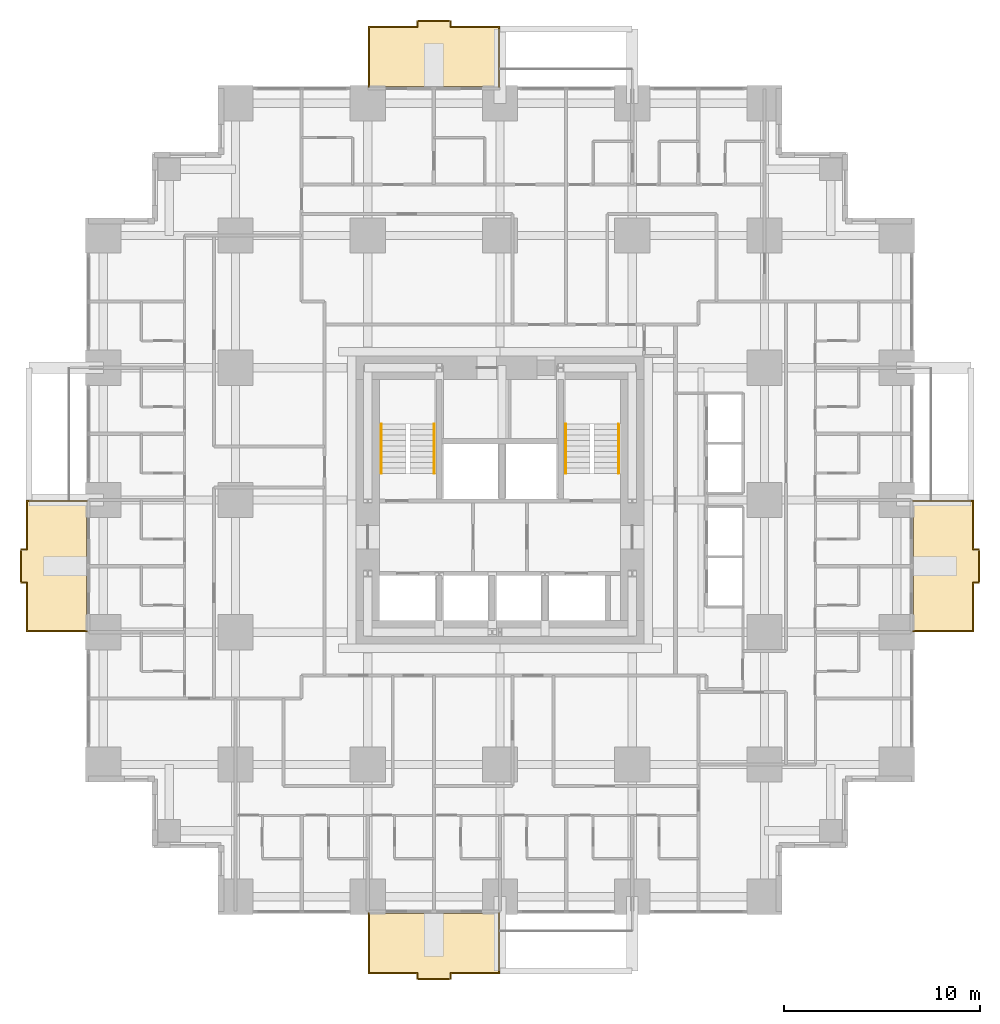
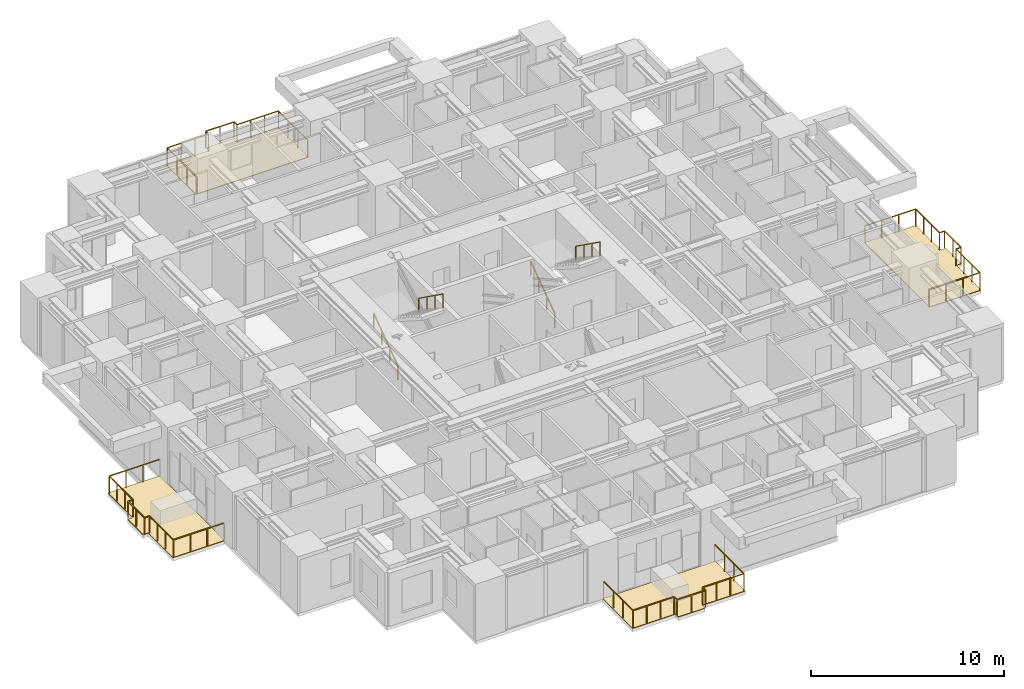
# One storey, part 15 of 15: 8 railings, 4 coverings.
"""IFC4 building model written with IfcOpenShell, lengths in metres."""

from ifc_helpers import new_model, si_unit, direction, frame, origin, origin_2d, place, context, subcontext, project, spatial, polyline, rectangle, outline, extrude, material, layer, layer_set, type_object, element, save


model = new_model("IFC4")

# Units and contexts
model_context = context("Model", 3, precision=1e-05, world=origin(), true_north=direction((0.0, 1.0)))
body_context = subcontext(model_context, "Body", "Model", "MODEL_VIEW")
ifc_project = project(units=[si_unit("LENGTHUNIT", "METRE"), si_unit("AREAUNIT", "SQUARE_METRE"), si_unit("VOLUMEUNIT", "CUBIC_METRE"), si_unit("PLANEANGLEUNIT", "RADIAN"), si_unit("MASSUNIT", "GRAM", prefix="KILO")], contexts=[model_context])

# Site, building, storey
site_placement = place(None, origin())
site = spatial("IfcSite", under=ifc_project, at=site_placement, CompositionType="ELEMENT")
building_placement = place(site_placement, origin())
building = spatial("IfcBuilding", under=site, at=building_placement, Name="Nyansa Garden Tower", CompositionType="ELEMENT")
storey_placement = place(building_placement, frame((0.0, 0.0, 61.199951171875)))
storey = spatial("IfcBuildingStorey", under=building, at=storey_placement, Name="L16", CompositionType="ELEMENT", Elevation=61.199951171875)

# Coverings
ifc_material_1 = material(Name="Hardwood decking on pedestals", Category="wood")
ifc_layer = layer(ifc_material_1, 0.0400390625)
ifc_layer_set = layer_set([ifc_layer], Name="Balcony decking DK40")
covering_type = type_object("IfcCoveringType", Name="Balcony decking DK40", PredefinedType="FLOORING", material=ifc_layer_set)
covering_1_placement = place(storey_placement, frame((0.0, 0.0, -0.0400390625)))
element("IfcCovering", 1, at=covering_1_placement, inside=storey, type_object=covering_type, Name="Balcony decking L16", PredefinedType="FLOORING", context=body_context, shape_type="SweptSolid", body=[
    extrude(outline(polyline([(13.5, -0.85009765625), (20.25, -0.85009765625), (20.25, -3.949951171875), (17.675048828125, -3.949951171875), (17.675048828125, -4.25), (16.074951171875, -4.25), (16.074951171875, -3.949951171875), (13.5, -3.949951171875), (13.5, -0.85009765625)])), origin(), (0.0, 0.0, 1.0), 0.0400390625),
])
covering_2_placement = place(storey_placement, frame((0.0, 0.0, -0.0400390625)))
element("IfcCovering", 2, at=covering_2_placement, inside=storey, type_object=covering_type, Name="Balcony decking L16", PredefinedType="FLOORING", context=body_context, shape_type="SweptSolid", body=[
    extrude(outline(polyline([(41.35009765625, 13.5), (41.35009765625, 20.25), (44.449951171875, 20.25), (44.449951171875, 17.675048828125), (44.75, 17.675048828125), (44.75, 16.074951171875), (44.449951171875, 16.074951171875), (44.449951171875, 13.5), (41.35009765625, 13.5)])), origin(), (0.0, 0.0, 1.0), 0.0400390625),
])
covering_3_placement = place(storey_placement, frame((0.0, 0.0, -0.0400390625)))
element("IfcCovering", 3, at=covering_3_placement, inside=storey, type_object=covering_type, Name="Balcony decking L16", PredefinedType="FLOORING", context=body_context, shape_type="SweptSolid", body=[
    extrude(outline(polyline([(13.5, 41.35009765625), (20.25, 41.35009765625), (20.25, 44.449951171875), (17.675048828125, 44.449951171875), (17.675048828125, 44.75), (16.074951171875, 44.75), (16.074951171875, 44.449951171875), (13.5, 44.449951171875), (13.5, 41.35009765625)])), origin(), (0.0, 0.0, 1.0), 0.0400390625),
])
covering_4_placement = place(storey_placement, frame((0.0, 0.0, -0.0400390625)))
element("IfcCovering", 4, at=covering_4_placement, inside=storey, type_object=covering_type, Name="Balcony decking L16", PredefinedType="FLOORING", context=body_context, shape_type="SweptSolid", body=[
    extrude(outline(polyline([(-0.85009765625, 13.5), (-0.85009765625, 20.25), (-3.949951171875, 20.25), (-3.949951171875, 17.675048828125), (-4.25, 17.675048828125), (-4.25, 16.074951171875), (-3.949951171875, 16.074951171875), (-3.949951171875, 13.5), (-0.85009765625, 13.5)])), origin(), (0.0, 0.0, 1.0), 0.0400390625),
])

# Railings
ifc_material_2 = material(Name="Black powder-coated steel balusters, laminated glass infill", Category="steel")
railing_type_1 = type_object("IfcRailingType", Name="Balcony guard G1", PredefinedType="GUARDRAIL", material=ifc_material_2)
railing_1_placement = place(storey_placement, frame((13.550048828125, -0.85009765625, 0.0)))
element("IfcRailing", 5, at=railing_1_placement, inside=storey, type_object=railing_type_1, Name="Balcony guard L16", PredefinedType="GUARDRAIL", context=body_context, shape_type="SweptSolid", body=[
    extrude(rectangle(XDim=0.048095703125, YDim=0.048095703125, at=origin_2d()), frame((0.0, 0.0, 1.076171875), z_axis=(0.0, -1.0, 0.0), x_axis=(1.0, 0.0, 0.0)), (0.0, 0.0, 1.0), 3.0498046875),
    extrude(rectangle(XDim=0.048095703125, YDim=0.048095703125, at=origin_2d()), frame((0.0, -3.0498046875, 1.076171875), z_axis=(1.0, 0.0, 0.0), x_axis=(0.0, 1.0, 0.0)), (0.0, 0.0, 1.0), 2.474853515625),
    extrude(rectangle(XDim=0.048095703125, YDim=0.048095703125, at=origin_2d()), frame((2.474853515625, -3.0498046875, 1.076171875), z_axis=(0.0, -1.0, 0.0), x_axis=(1.0, 0.0, 0.0)), (0.0, 0.0, 1.0), 0.300048828125),
    extrude(rectangle(XDim=0.048095703125, YDim=0.048095703125, at=origin_2d()), frame((2.474853515625, -3.349853515625, 1.076171875), z_axis=(1.0, 0.0, 0.0), x_axis=(0.0, 1.0, 0.0)), (0.0, 0.0, 1.0), 1.7001953125),
    extrude(rectangle(XDim=0.048095703125, YDim=0.048095703125, at=origin_2d()), frame((4.175048828125, -3.349853515625, 1.076171875), z_axis=(0.0, 1.0, 0.0), x_axis=(-1.0, 0.0, 0.0)), (0.0, 0.0, 1.0), 0.300048828125),
    extrude(rectangle(XDim=0.048095703125, YDim=0.048095703125, at=origin_2d()), frame((4.175048828125, -3.0498046875, 1.076171875), z_axis=(1.0, 0.0, 0.0), x_axis=(0.0, 1.0, 0.0)), (0.0, 0.0, 1.0), 2.474853515625),
    extrude(rectangle(XDim=0.048095703125, YDim=0.048095703125, at=origin_2d()), frame((6.64990234375, -3.0498046875, 1.076171875), z_axis=(0.0, 1.0, 0.0), x_axis=(-1.0, 0.0, 0.0)), (0.0, 0.0, 1.0), 3.0498046875),
    extrude(rectangle(XDim=0.0419921875, YDim=0.0419921875, at=origin_2d()), origin(), (0.0, 0.0, 1.0), 1.052001953125),
    extrude(rectangle(XDim=0.0419921875, YDim=0.0419921875, at=origin_2d()), frame((0.0, -1.0166015625, 0.0)), (0.0, 0.0, 1.0), 1.052001953125),
    extrude(rectangle(XDim=0.0419921875, YDim=0.0419921875, at=origin_2d()), frame((0.0, -2.033203125, 0.0)), (0.0, 0.0, 1.0), 1.052001953125),
    extrude(rectangle(XDim=0.0419921875, YDim=0.0419921875, at=origin_2d()), frame((0.0, -3.0498046875, 0.0)), (0.0, 0.0, 1.0), 1.052001953125),
    extrude(rectangle(XDim=0.0419921875, YDim=0.0419921875, at=origin_2d()), frame((0.824951171875, -3.0498046875, 0.0)), (0.0, 0.0, 1.0), 1.052001953125),
    extrude(rectangle(XDim=0.0419921875, YDim=0.0419921875, at=origin_2d()), frame((1.64990234375, -3.0498046875, 0.0)), (0.0, 0.0, 1.0), 1.052001953125),
    extrude(rectangle(XDim=0.0419921875, YDim=0.0419921875, at=origin_2d()), frame((2.474853515625, -3.0498046875, 0.0)), (0.0, 0.0, 1.0), 1.052001953125),
    extrude(rectangle(XDim=0.0419921875, YDim=0.0419921875, at=origin_2d()), frame((2.474853515625, -3.349853515625, 0.0)), (0.0, 0.0, 1.0), 1.052001953125),
    extrude(rectangle(XDim=0.0419921875, YDim=0.0419921875, at=origin_2d()), frame((3.324951171875, -3.349853515625, 0.0)), (0.0, 0.0, 1.0), 1.052001953125),
    extrude(rectangle(XDim=0.0419921875, YDim=0.0419921875, at=origin_2d()), frame((4.175048828125, -3.349853515625, 0.0)), (0.0, 0.0, 1.0), 1.052001953125),
    extrude(rectangle(XDim=0.0419921875, YDim=0.0419921875, at=origin_2d()), frame((4.175048828125, -3.0498046875, 0.0)), (0.0, 0.0, 1.0), 1.052001953125),
    extrude(rectangle(XDim=0.0419921875, YDim=0.0419921875, at=origin_2d()), frame((5.0, -3.0498046875, 0.0)), (0.0, 0.0, 1.0), 1.052001953125),
    extrude(rectangle(XDim=0.0419921875, YDim=0.0419921875, at=origin_2d()), frame((5.824951171875, -3.0498046875, 0.0)), (0.0, 0.0, 1.0), 1.052001953125),
    extrude(rectangle(XDim=0.0419921875, YDim=0.0419921875, at=origin_2d()), frame((6.64990234375, -3.0498046875, 0.0)), (0.0, 0.0, 1.0), 1.052001953125),
    extrude(rectangle(XDim=0.0419921875, YDim=0.0419921875, at=origin_2d()), frame((6.64990234375, -2.033203125, 0.0)), (0.0, 0.0, 1.0), 1.052001953125),
    extrude(rectangle(XDim=0.0419921875, YDim=0.0419921875, at=origin_2d()), frame((6.64990234375, -1.0166015625, 0.0)), (0.0, 0.0, 1.0), 1.052001953125),
    extrude(rectangle(XDim=0.0419921875, YDim=0.0419921875, at=origin_2d()), frame((6.64990234375, 0.0, 0.0)), (0.0, 0.0, 1.0), 1.052001953125),
])
railing_2_placement = place(storey_placement, frame((41.35009765625, 13.550048828125, 0.0)))
element("IfcRailing", 6, at=railing_2_placement, inside=storey, type_object=railing_type_1, Name="Balcony guard L16", PredefinedType="GUARDRAIL", context=body_context, shape_type="SweptSolid", body=[
    extrude(rectangle(XDim=0.048095703125, YDim=0.048095703125, at=origin_2d()), frame((0.0, 0.0, 1.076171875), z_axis=(1.0, 0.0, 0.0), x_axis=(0.0, 1.0, 0.0)), (0.0, 0.0, 1.0), 3.0498046875),
    extrude(rectangle(XDim=0.048095703125, YDim=0.048095703125, at=origin_2d()), frame((3.0498046875, 0.0, 1.076171875), z_axis=(0.0, 1.0, 0.0), x_axis=(-1.0, 0.0, 0.0)), (0.0, 0.0, 1.0), 2.474853515625),
    extrude(rectangle(XDim=0.048095703125, YDim=0.048095703125, at=origin_2d()), frame((3.0498046875, 2.474853515625, 1.076171875), z_axis=(1.0, 0.0, 0.0), x_axis=(0.0, 1.0, 0.0)), (0.0, 0.0, 1.0), 0.300048828125),
    extrude(rectangle(XDim=0.048095703125, YDim=0.048095703125, at=origin_2d()), frame((3.349853515625, 2.474853515625, 1.076171875), z_axis=(0.0, 1.0, 0.0), x_axis=(-1.0, 0.0, 0.0)), (0.0, 0.0, 1.0), 1.7001953125),
    extrude(rectangle(XDim=0.048095703125, YDim=0.048095703125, at=origin_2d()), frame((3.349853515625, 4.175048828125, 1.076171875), z_axis=(-1.0, 0.0, 0.0), x_axis=(0.0, -1.0, 0.0)), (0.0, 0.0, 1.0), 0.300048828125),
    extrude(rectangle(XDim=0.048095703125, YDim=0.048095703125, at=origin_2d()), frame((3.0498046875, 4.175048828125, 1.076171875), z_axis=(0.0, 1.0, 0.0), x_axis=(-1.0, 0.0, 0.0)), (0.0, 0.0, 1.0), 2.474853515625),
    extrude(rectangle(XDim=0.048095703125, YDim=0.048095703125, at=origin_2d()), frame((3.0498046875, 6.64990234375, 1.076171875), z_axis=(-1.0, 0.0, 0.0), x_axis=(0.0, -1.0, 0.0)), (0.0, 0.0, 1.0), 3.0498046875),
    extrude(rectangle(XDim=0.0419921875, YDim=0.0419921875, at=origin_2d()), origin(), (0.0, 0.0, 1.0), 1.052001953125),
    extrude(rectangle(XDim=0.0419921875, YDim=0.0419921875, at=origin_2d()), frame((1.0166015625, 0.0, 0.0)), (0.0, 0.0, 1.0), 1.052001953125),
    extrude(rectangle(XDim=0.0419921875, YDim=0.0419921875, at=origin_2d()), frame((2.033203125, 0.0, 0.0)), (0.0, 0.0, 1.0), 1.052001953125),
    extrude(rectangle(XDim=0.0419921875, YDim=0.0419921875, at=origin_2d()), frame((3.0498046875, 0.0, 0.0)), (0.0, 0.0, 1.0), 1.052001953125),
    extrude(rectangle(XDim=0.0419921875, YDim=0.0419921875, at=origin_2d()), frame((3.0498046875, 0.824951171875, 0.0)), (0.0, 0.0, 1.0), 1.052001953125),
    extrude(rectangle(XDim=0.0419921875, YDim=0.0419921875, at=origin_2d()), frame((3.0498046875, 1.64990234375, 0.0)), (0.0, 0.0, 1.0), 1.052001953125),
    extrude(rectangle(XDim=0.0419921875, YDim=0.0419921875, at=origin_2d()), frame((3.0498046875, 2.474853515625, 0.0)), (0.0, 0.0, 1.0), 1.052001953125),
    extrude(rectangle(XDim=0.0419921875, YDim=0.0419921875, at=origin_2d()), frame((3.349853515625, 2.474853515625, 0.0)), (0.0, 0.0, 1.0), 1.052001953125),
    extrude(rectangle(XDim=0.0419921875, YDim=0.0419921875, at=origin_2d()), frame((3.349853515625, 3.324951171875, 0.0)), (0.0, 0.0, 1.0), 1.052001953125),
    extrude(rectangle(XDim=0.0419921875, YDim=0.0419921875, at=origin_2d()), frame((3.349853515625, 4.175048828125, 0.0)), (0.0, 0.0, 1.0), 1.052001953125),
    extrude(rectangle(XDim=0.0419921875, YDim=0.0419921875, at=origin_2d()), frame((3.0498046875, 4.175048828125, 0.0)), (0.0, 0.0, 1.0), 1.052001953125),
    extrude(rectangle(XDim=0.0419921875, YDim=0.0419921875, at=origin_2d()), frame((3.0498046875, 5.0, 0.0)), (0.0, 0.0, 1.0), 1.052001953125),
    extrude(rectangle(XDim=0.0419921875, YDim=0.0419921875, at=origin_2d()), frame((3.0498046875, 5.824951171875, 0.0)), (0.0, 0.0, 1.0), 1.052001953125),
    extrude(rectangle(XDim=0.0419921875, YDim=0.0419921875, at=origin_2d()), frame((3.0498046875, 6.64990234375, 0.0)), (0.0, 0.0, 1.0), 1.052001953125),
    extrude(rectangle(XDim=0.0419921875, YDim=0.0419921875, at=origin_2d()), frame((2.033203125, 6.64990234375, 0.0)), (0.0, 0.0, 1.0), 1.052001953125),
    extrude(rectangle(XDim=0.0419921875, YDim=0.0419921875, at=origin_2d()), frame((1.0166015625, 6.64990234375, 0.0)), (0.0, 0.0, 1.0), 1.052001953125),
    extrude(rectangle(XDim=0.0419921875, YDim=0.0419921875, at=origin_2d()), frame((0.0, 6.64990234375, 0.0)), (0.0, 0.0, 1.0), 1.052001953125),
])
railing_3_placement = place(storey_placement, frame((13.550048828125, 41.35009765625, 0.0)))
element("IfcRailing", 7, at=railing_3_placement, inside=storey, type_object=railing_type_1, Name="Balcony guard L16", PredefinedType="GUARDRAIL", context=body_context, shape_type="SweptSolid", body=[
    extrude(rectangle(XDim=0.048095703125, YDim=0.048095703125, at=origin_2d()), frame((0.0, 0.0, 1.076171875), z_axis=(0.0, 1.0, 0.0), x_axis=(-1.0, 0.0, 0.0)), (0.0, 0.0, 1.0), 3.0498046875),
    extrude(rectangle(XDim=0.048095703125, YDim=0.048095703125, at=origin_2d()), frame((0.0, 3.0498046875, 1.076171875), z_axis=(1.0, 0.0, 0.0), x_axis=(0.0, 1.0, 0.0)), (0.0, 0.0, 1.0), 2.474853515625),
    extrude(rectangle(XDim=0.048095703125, YDim=0.048095703125, at=origin_2d()), frame((2.474853515625, 3.0498046875, 1.076171875), z_axis=(0.0, 1.0, 0.0), x_axis=(-1.0, 0.0, 0.0)), (0.0, 0.0, 1.0), 0.300048828125),
    extrude(rectangle(XDim=0.048095703125, YDim=0.048095703125, at=origin_2d()), frame((2.474853515625, 3.349853515625, 1.076171875), z_axis=(1.0, 0.0, 0.0), x_axis=(0.0, 1.0, 0.0)), (0.0, 0.0, 1.0), 1.7001953125),
    extrude(rectangle(XDim=0.048095703125, YDim=0.048095703125, at=origin_2d()), frame((4.175048828125, 3.349853515625, 1.076171875), z_axis=(0.0, -1.0, 0.0), x_axis=(1.0, 0.0, 0.0)), (0.0, 0.0, 1.0), 0.300048828125),
    extrude(rectangle(XDim=0.048095703125, YDim=0.048095703125, at=origin_2d()), frame((4.175048828125, 3.0498046875, 1.076171875), z_axis=(1.0, 0.0, 0.0), x_axis=(0.0, 1.0, 0.0)), (0.0, 0.0, 1.0), 2.474853515625),
    extrude(rectangle(XDim=0.048095703125, YDim=0.048095703125, at=origin_2d()), frame((6.64990234375, 3.0498046875, 1.076171875), z_axis=(0.0, -1.0, 0.0), x_axis=(1.0, 0.0, 0.0)), (0.0, 0.0, 1.0), 3.0498046875),
    extrude(rectangle(XDim=0.0419921875, YDim=0.0419921875, at=origin_2d()), origin(), (0.0, 0.0, 1.0), 1.052001953125),
    extrude(rectangle(XDim=0.0419921875, YDim=0.0419921875, at=origin_2d()), frame((0.0, 1.0166015625, 0.0)), (0.0, 0.0, 1.0), 1.052001953125),
    extrude(rectangle(XDim=0.0419921875, YDim=0.0419921875, at=origin_2d()), frame((0.0, 2.033203125, 0.0)), (0.0, 0.0, 1.0), 1.052001953125),
    extrude(rectangle(XDim=0.0419921875, YDim=0.0419921875, at=origin_2d()), frame((0.0, 3.0498046875, 0.0)), (0.0, 0.0, 1.0), 1.052001953125),
    extrude(rectangle(XDim=0.0419921875, YDim=0.0419921875, at=origin_2d()), frame((0.824951171875, 3.0498046875, 0.0)), (0.0, 0.0, 1.0), 1.052001953125),
    extrude(rectangle(XDim=0.0419921875, YDim=0.0419921875, at=origin_2d()), frame((1.64990234375, 3.0498046875, 0.0)), (0.0, 0.0, 1.0), 1.052001953125),
    extrude(rectangle(XDim=0.0419921875, YDim=0.0419921875, at=origin_2d()), frame((2.474853515625, 3.0498046875, 0.0)), (0.0, 0.0, 1.0), 1.052001953125),
    extrude(rectangle(XDim=0.0419921875, YDim=0.0419921875, at=origin_2d()), frame((2.474853515625, 3.349853515625, 0.0)), (0.0, 0.0, 1.0), 1.052001953125),
    extrude(rectangle(XDim=0.0419921875, YDim=0.0419921875, at=origin_2d()), frame((3.324951171875, 3.349853515625, 0.0)), (0.0, 0.0, 1.0), 1.052001953125),
    extrude(rectangle(XDim=0.0419921875, YDim=0.0419921875, at=origin_2d()), frame((4.175048828125, 3.349853515625, 0.0)), (0.0, 0.0, 1.0), 1.052001953125),
    extrude(rectangle(XDim=0.0419921875, YDim=0.0419921875, at=origin_2d()), frame((4.175048828125, 3.0498046875, 0.0)), (0.0, 0.0, 1.0), 1.052001953125),
    extrude(rectangle(XDim=0.0419921875, YDim=0.0419921875, at=origin_2d()), frame((5.0, 3.0498046875, 0.0)), (0.0, 0.0, 1.0), 1.052001953125),
    extrude(rectangle(XDim=0.0419921875, YDim=0.0419921875, at=origin_2d()), frame((5.824951171875, 3.0498046875, 0.0)), (0.0, 0.0, 1.0), 1.052001953125),
    extrude(rectangle(XDim=0.0419921875, YDim=0.0419921875, at=origin_2d()), frame((6.64990234375, 3.0498046875, 0.0)), (0.0, 0.0, 1.0), 1.052001953125),
    extrude(rectangle(XDim=0.0419921875, YDim=0.0419921875, at=origin_2d()), frame((6.64990234375, 2.033203125, 0.0)), (0.0, 0.0, 1.0), 1.052001953125),
    extrude(rectangle(XDim=0.0419921875, YDim=0.0419921875, at=origin_2d()), frame((6.64990234375, 1.0166015625, 0.0)), (0.0, 0.0, 1.0), 1.052001953125),
    extrude(rectangle(XDim=0.0419921875, YDim=0.0419921875, at=origin_2d()), frame((6.64990234375, 0.0, 0.0)), (0.0, 0.0, 1.0), 1.052001953125),
])
railing_4_placement = place(storey_placement, frame((-0.85009765625, 13.550048828125, 0.0)))
element("IfcRailing", 8, at=railing_4_placement, inside=storey, type_object=railing_type_1, Name="Balcony guard L16", PredefinedType="GUARDRAIL", context=body_context, shape_type="SweptSolid", body=[
    extrude(rectangle(XDim=0.048095703125, YDim=0.048095703125, at=origin_2d()), frame((0.0, 0.0, 1.076171875), z_axis=(-1.0, 0.0, 0.0), x_axis=(0.0, -1.0, 0.0)), (0.0, 0.0, 1.0), 3.0498046875),
    extrude(rectangle(XDim=0.048095703125, YDim=0.048095703125, at=origin_2d()), frame((-3.0498046875, 0.0, 1.076171875), z_axis=(0.0, 1.0, 0.0), x_axis=(-1.0, 0.0, 0.0)), (0.0, 0.0, 1.0), 2.474853515625),
    extrude(rectangle(XDim=0.048095703125, YDim=0.048095703125, at=origin_2d()), frame((-3.0498046875, 2.474853515625, 1.076171875), z_axis=(-1.0, 0.0, 0.0), x_axis=(0.0, -1.0, 0.0)), (0.0, 0.0, 1.0), 0.300048828125),
    extrude(rectangle(XDim=0.048095703125, YDim=0.048095703125, at=origin_2d()), frame((-3.349853515625, 2.474853515625, 1.076171875), z_axis=(0.0, 1.0, 0.0), x_axis=(-1.0, 0.0, 0.0)), (0.0, 0.0, 1.0), 1.7001953125),
    extrude(rectangle(XDim=0.048095703125, YDim=0.048095703125, at=origin_2d()), frame((-3.349853515625, 4.175048828125, 1.076171875), z_axis=(1.0, 0.0, 0.0), x_axis=(0.0, 1.0, 0.0)), (0.0, 0.0, 1.0), 0.300048828125),
    extrude(rectangle(XDim=0.048095703125, YDim=0.048095703125, at=origin_2d()), frame((-3.0498046875, 4.175048828125, 1.076171875), z_axis=(0.0, 1.0, 0.0), x_axis=(-1.0, 0.0, 0.0)), (0.0, 0.0, 1.0), 2.474853515625),
    extrude(rectangle(XDim=0.048095703125, YDim=0.048095703125, at=origin_2d()), frame((-3.0498046875, 6.64990234375, 1.076171875), z_axis=(1.0, 0.0, 0.0), x_axis=(0.0, 1.0, 0.0)), (0.0, 0.0, 1.0), 3.0498046875),
    extrude(rectangle(XDim=0.0419921875, YDim=0.0419921875, at=origin_2d()), origin(), (0.0, 0.0, 1.0), 1.052001953125),
    extrude(rectangle(XDim=0.0419921875, YDim=0.0419921875, at=origin_2d()), frame((-1.0166015625, 0.0, 0.0)), (0.0, 0.0, 1.0), 1.052001953125),
    extrude(rectangle(XDim=0.0419921875, YDim=0.0419921875, at=origin_2d()), frame((-2.033203125, 0.0, 0.0)), (0.0, 0.0, 1.0), 1.052001953125),
    extrude(rectangle(XDim=0.0419921875, YDim=0.0419921875, at=origin_2d()), frame((-3.0498046875, 0.0, 0.0)), (0.0, 0.0, 1.0), 1.052001953125),
    extrude(rectangle(XDim=0.0419921875, YDim=0.0419921875, at=origin_2d()), frame((-3.0498046875, 0.824951171875, 0.0)), (0.0, 0.0, 1.0), 1.052001953125),
    extrude(rectangle(XDim=0.0419921875, YDim=0.0419921875, at=origin_2d()), frame((-3.0498046875, 1.64990234375, 0.0)), (0.0, 0.0, 1.0), 1.052001953125),
    extrude(rectangle(XDim=0.0419921875, YDim=0.0419921875, at=origin_2d()), frame((-3.0498046875, 2.474853515625, 0.0)), (0.0, 0.0, 1.0), 1.052001953125),
    extrude(rectangle(XDim=0.0419921875, YDim=0.0419921875, at=origin_2d()), frame((-3.349853515625, 2.474853515625, 0.0)), (0.0, 0.0, 1.0), 1.052001953125),
    extrude(rectangle(XDim=0.0419921875, YDim=0.0419921875, at=origin_2d()), frame((-3.349853515625, 3.324951171875, 0.0)), (0.0, 0.0, 1.0), 1.052001953125),
    extrude(rectangle(XDim=0.0419921875, YDim=0.0419921875, at=origin_2d()), frame((-3.349853515625, 4.175048828125, 0.0)), (0.0, 0.0, 1.0), 1.052001953125),
    extrude(rectangle(XDim=0.0419921875, YDim=0.0419921875, at=origin_2d()), frame((-3.0498046875, 4.175048828125, 0.0)), (0.0, 0.0, 1.0), 1.052001953125),
    extrude(rectangle(XDim=0.0419921875, YDim=0.0419921875, at=origin_2d()), frame((-3.0498046875, 5.0, 0.0)), (0.0, 0.0, 1.0), 1.052001953125),
    extrude(rectangle(XDim=0.0419921875, YDim=0.0419921875, at=origin_2d()), frame((-3.0498046875, 5.824951171875, 0.0)), (0.0, 0.0, 1.0), 1.052001953125),
    extrude(rectangle(XDim=0.0419921875, YDim=0.0419921875, at=origin_2d()), frame((-3.0498046875, 6.64990234375, 0.0)), (0.0, 0.0, 1.0), 1.052001953125),
    extrude(rectangle(XDim=0.0419921875, YDim=0.0419921875, at=origin_2d()), frame((-2.033203125, 6.64990234375, 0.0)), (0.0, 0.0, 1.0), 1.052001953125),
    extrude(rectangle(XDim=0.0419921875, YDim=0.0419921875, at=origin_2d()), frame((-1.0166015625, 6.64990234375, 0.0)), (0.0, 0.0, 1.0), 1.052001953125),
    extrude(rectangle(XDim=0.0419921875, YDim=0.0419921875, at=origin_2d()), frame((0.0, 6.64990234375, 0.0)), (0.0, 0.0, 1.0), 1.052001953125),
])
ifc_material_3 = material(Name="Black powder-coated steel tube 48 mm", Category="steel")
railing_type_2 = type_object("IfcRailingType", Name="Stair handrail HR1", PredefinedType="HANDRAIL", material=ifc_material_3)
railing_5_placement = place(storey_placement, frame((14.199951171875, 21.60009765625, 0.0)))
element("IfcRailing", 9, at=railing_5_placement, inside=storey, type_object=railing_type_2, Name="Stair S1 handrail L16", PredefinedType="HANDRAIL", context=body_context, shape_type="SweptSolid", body=[
    extrude(rectangle(XDim=0.048095703125, YDim=0.048095703125, at=origin_2d()), frame((0.0, 0.0, 0.8759765625), z_axis=(0.0, 0.813728144527, 0.581245650998), x_axis=(-1.0, 0.0, 0.0)), (0.0, 0.0, 1.0), 3.096923828125),
    extrude(rectangle(XDim=0.0419921875, YDim=0.0419921875, at=origin_2d()), origin(), (0.0, 0.0, 1.0), 0.851806640625),
    extrude(rectangle(XDim=0.0419921875, YDim=0.0419921875, at=origin_2d()), frame((0.0, 0.840087890625, 0.60009765625)), (0.0, 0.0, 1.0), 0.851806640625),
    extrude(rectangle(XDim=0.0419921875, YDim=0.0419921875, at=origin_2d()), frame((0.0, 1.679931640625, 1.199951171875)), (0.0, 0.0, 1.0), 0.851806640625),
    extrude(rectangle(XDim=0.0419921875, YDim=0.0419921875, at=origin_2d()), frame((0.0, 2.52001953125, 1.800048828125)), (0.0, 0.0, 1.0), 0.851806640625),
])
railing_6_placement = place(storey_placement, frame((16.89990234375, 24.1201171875, 1.800048828125)))
element("IfcRailing", 10, at=railing_6_placement, inside=storey, type_object=railing_type_2, Name="Stair S1 handrail L16", PredefinedType="HANDRAIL", context=body_context, shape_type="SweptSolid", body=[
    extrude(rectangle(XDim=0.048095703125, YDim=0.048095703125, at=origin_2d()), frame((0.0, 0.0, 0.8759765625), z_axis=(0.0, -0.813728144527, 0.581245650998), x_axis=(1.0, 0.0, 0.0)), (0.0, 0.0, 1.0), 3.096923828125),
    extrude(rectangle(XDim=0.0419921875, YDim=0.0419921875, at=origin_2d()), origin(), (0.0, 0.0, 1.0), 0.851806640625),
    extrude(rectangle(XDim=0.0419921875, YDim=0.0419921875, at=origin_2d()), frame((0.0, -0.840087890625, 0.60009765625)), (0.0, 0.0, 1.0), 0.851806640625),
    extrude(rectangle(XDim=0.0419921875, YDim=0.0419921875, at=origin_2d()), frame((0.0, -1.679931640625, 1.199951171875)), (0.0, 0.0, 1.0), 0.851806640625),
    extrude(rectangle(XDim=0.0419921875, YDim=0.0419921875, at=origin_2d()), frame((0.0, -2.52001953125, 1.800048828125)), (0.0, 0.0, 1.0), 0.851806640625),
])
railing_7_placement = place(storey_placement, frame((23.60009765625, 21.60009765625, 0.0)))
element("IfcRailing", 11, at=railing_7_placement, inside=storey, type_object=railing_type_2, Name="Stair S2 handrail L16", PredefinedType="HANDRAIL", context=body_context, shape_type="SweptSolid", body=[
    extrude(rectangle(XDim=0.048095703125, YDim=0.048095703125, at=origin_2d()), frame((0.0, 0.0, 0.8759765625), z_axis=(0.0, 0.813728144527, 0.581245650998), x_axis=(-1.0, 0.0, 0.0)), (0.0, 0.0, 1.0), 3.096923828125),
    extrude(rectangle(XDim=0.0419921875, YDim=0.0419921875, at=origin_2d()), origin(), (0.0, 0.0, 1.0), 0.851806640625),
    extrude(rectangle(XDim=0.0419921875, YDim=0.0419921875, at=origin_2d()), frame((0.0, 0.840087890625, 0.60009765625)), (0.0, 0.0, 1.0), 0.851806640625),
    extrude(rectangle(XDim=0.0419921875, YDim=0.0419921875, at=origin_2d()), frame((0.0, 1.679931640625, 1.199951171875)), (0.0, 0.0, 1.0), 0.851806640625),
    extrude(rectangle(XDim=0.0419921875, YDim=0.0419921875, at=origin_2d()), frame((0.0, 2.52001953125, 1.800048828125)), (0.0, 0.0, 1.0), 0.851806640625),
])
railing_8_placement = place(storey_placement, frame((26.300048828125, 24.1201171875, 1.800048828125)))
element("IfcRailing", 12, at=railing_8_placement, inside=storey, type_object=railing_type_2, Name="Stair S2 handrail L16", PredefinedType="HANDRAIL", context=body_context, shape_type="SweptSolid", body=[
    extrude(rectangle(XDim=0.048095703125, YDim=0.048095703125, at=origin_2d()), frame((0.0, 0.0, 0.8759765625), z_axis=(0.0, -0.813728144527, 0.581245650998), x_axis=(1.0, 0.0, 0.0)), (0.0, 0.0, 1.0), 3.096923828125),
    extrude(rectangle(XDim=0.0419921875, YDim=0.0419921875, at=origin_2d()), origin(), (0.0, 0.0, 1.0), 0.851806640625),
    extrude(rectangle(XDim=0.0419921875, YDim=0.0419921875, at=origin_2d()), frame((0.0, -0.840087890625, 0.60009765625)), (0.0, 0.0, 1.0), 0.851806640625),
    extrude(rectangle(XDim=0.0419921875, YDim=0.0419921875, at=origin_2d()), frame((0.0, -1.679931640625, 1.199951171875)), (0.0, 0.0, 1.0), 0.851806640625),
    extrude(rectangle(XDim=0.0419921875, YDim=0.0419921875, at=origin_2d()), frame((0.0, -2.52001953125, 1.800048828125)), (0.0, 0.0, 1.0), 0.851806640625),
])

save(model, "model.ifc")
